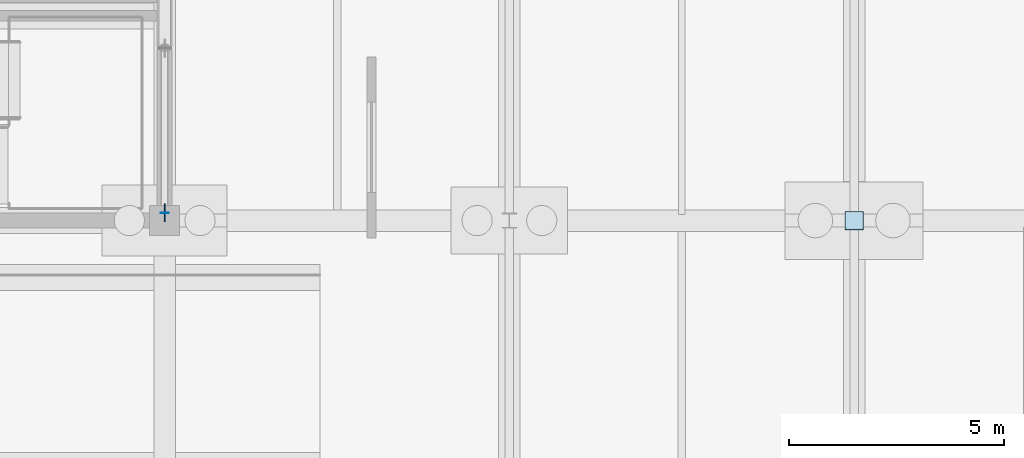
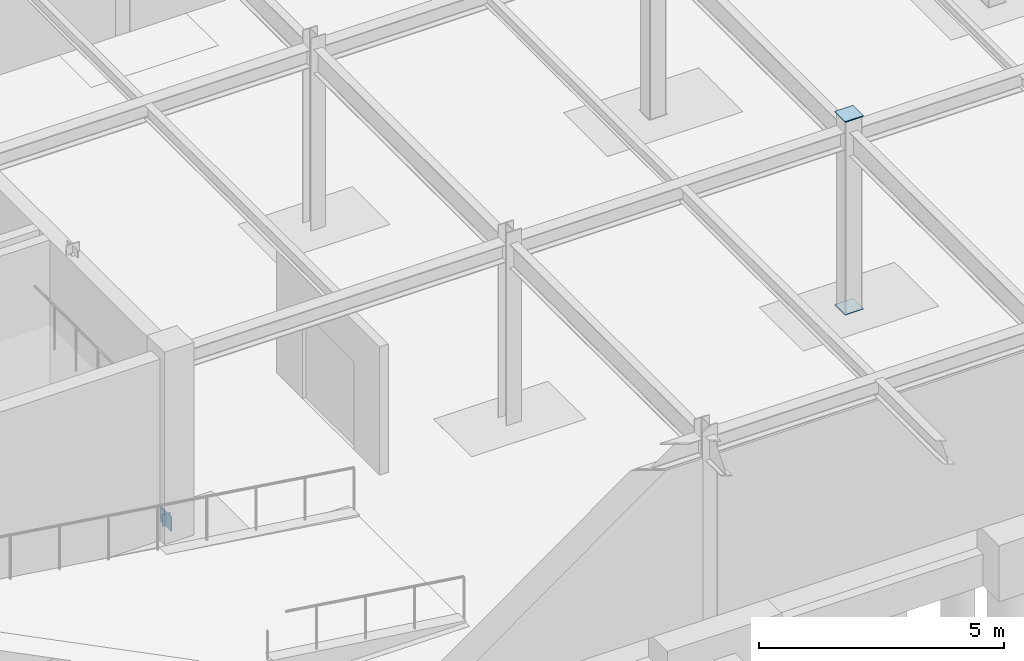
# One storey, part 43 of 72: 5 plates.
"""IFC4 building model written with IfcOpenShell, lengths in metres."""

from ifc_helpers import new_model, si_unit, direction, frame, origin, origin_2d, place, context, subcontext, project, spatial, rectangle, extrude, material, layer, layer_set, type_object, element, save


model = new_model("IFC4")

# Units and contexts
model_context = context("Model", 3, precision=1e-05, world=origin(), true_north=direction((0.0, 1.0)))
body_context = subcontext(model_context, "Body", "Model", "MODEL_VIEW")
ifc_project = project(units=[si_unit("LENGTHUNIT", "METRE"), si_unit("AREAUNIT", "SQUARE_METRE"), si_unit("VOLUMEUNIT", "CUBIC_METRE"), si_unit("PLANEANGLEUNIT", "RADIAN"), si_unit("MASSUNIT", "GRAM", prefix="KILO")], contexts=[model_context])

# Site, building, storey
site_placement = place(None, origin())
site = spatial("IfcSite", under=ifc_project, at=site_placement, CompositionType="ELEMENT")
building_placement = place(site_placement, origin())
building = spatial("IfcBuilding", under=site, at=building_placement, Name="Zhaolan Boulevard Law Courts", CompositionType="ELEMENT")
storey_placement = place(building_placement, frame((0.0, 0.0, -4.800048828125)))
storey = spatial("IfcBuildingStorey", under=building, at=storey_placement, Name="B1", CompositionType="ELEMENT", Elevation=-4.800048828125)

# Plates
ifc_material_1 = material(Name="Structural steel Q355B", Category="steel")
ifc_layer_1 = layer(ifc_material_1, 0.02392578125)
ifc_layer_set_1 = layer_set([ifc_layer_1])
plate_type_1 = type_object("IfcPlateType", Name="BRACE GUSSET PLATE 24", PredefinedType="SHEET", material=ifc_layer_set_1)
plate_1_placement = place(storey_placement, frame((44.0, 14.179931640625, 0.02001953125), z_axis=(0.0, 0.0, 1.0), x_axis=(0.0, 1.0, 0.0)))
element("IfcPlate", 1, at=plate_1_placement, inside=storey, type_object=plate_type_1, Name="Brace Gusset Connection Plate GP-P1-B1-EA1", PredefinedType="SHEET", context=body_context, shape_type="SweptSolid", body=[
    extrude(rectangle(XDim=0.419921875, YDim=0.02392578125, at=origin_2d()), origin(), (0.0, 0.0, 1.0), 0.360107421875),
])
ifc_material_2 = material(Name="Structural steel Q355B", Category="steel")
ifc_layer_2 = layer(ifc_material_2, 0.02001953125)
ifc_layer_set_2 = layer_set([ifc_layer_2])
plate_type_2 = type_object("IfcPlateType", Name="END CAP PLATE 20", PredefinedType="SHEET", material=ifc_layer_set_2)
plate_2_placement = place(storey_placement, frame((60.0, 14.0, 4.780029296875), z_axis=(0.0, 0.0, 1.0), x_axis=(1.0, 0.0, 0.0)))
element("IfcPlate", 2, at=plate_2_placement, inside=storey, type_object=plate_type_2, Name="Hollow Column Top End-Cap Plate ECP-8C", PredefinedType="SHEET", context=body_context, shape_type="SweptSolid", body=[
    extrude(rectangle(XDim=0.39990234375, YDim=0.39990234375, at=origin_2d()), origin(), (0.0, 0.0, 1.0), 0.02001953125),
])
for number, where, z_axis, x_axis, name in (
    (3, (60.0, 14.0, -0.01806640625), (0.0, 0.0, 1.0), (1.0, 0.0, 0.0), "Hollow Section End-Cap Plate ECP-0595"),
    (4, (60.0, 14.0, 4.798095703125), (0.0, 0.0, 1.0), (1.0, 0.0, 0.0), "Hollow Section End-Cap Plate ECP-0596"),
):
    element("IfcPlate", number, at=place(storey_placement, frame(where, z_axis=z_axis, x_axis=x_axis)), inside=storey, type_object=plate_type_2, Name=name, PredefinedType="SHEET", context=body_context, shape_type="SweptSolid", body=[
        extrude(rectangle(XDim=0.429931640625, YDim=0.429931640625, at=origin_2d()), origin(), (0.0, 0.0, 1.0), 0.02001953125),
    ])
plate_3_placement = place(storey_placement, frame((44.0, 14.1748046875, 0.050537109375), z_axis=(0.0, 0.0, 1.0), x_axis=(0.0, 1.0, 0.0)))
element("IfcPlate", 5, at=plate_3_placement, inside=storey, type_object=plate_type_2, Name="Hollow Section End-Cap Plate ECP-1227", PredefinedType="SHEET", context=body_context, shape_type="SweptSolid", body=[
    extrude(rectangle(XDim=0.02001953125, YDim=0.18994140625, at=origin_2d()), origin(), (0.0, 0.0, 1.0), 0.287109375),
])

save(model, "model.ifc")
